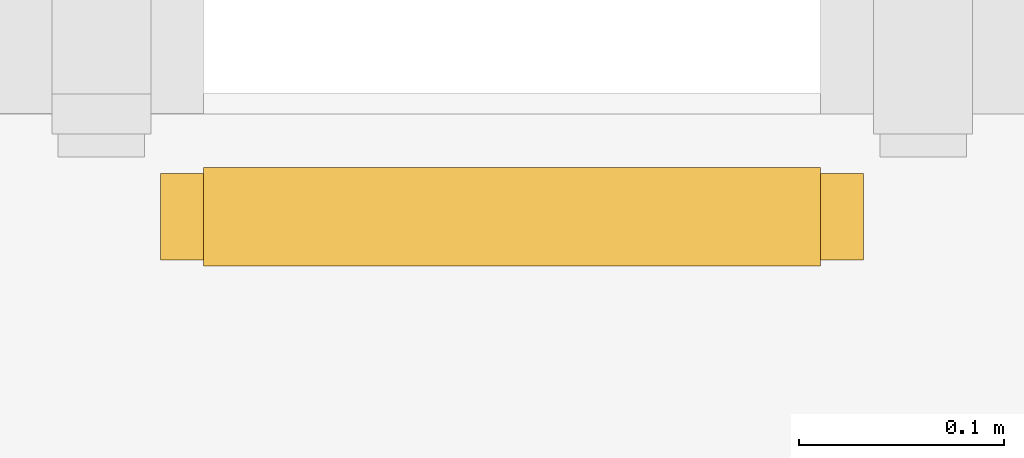
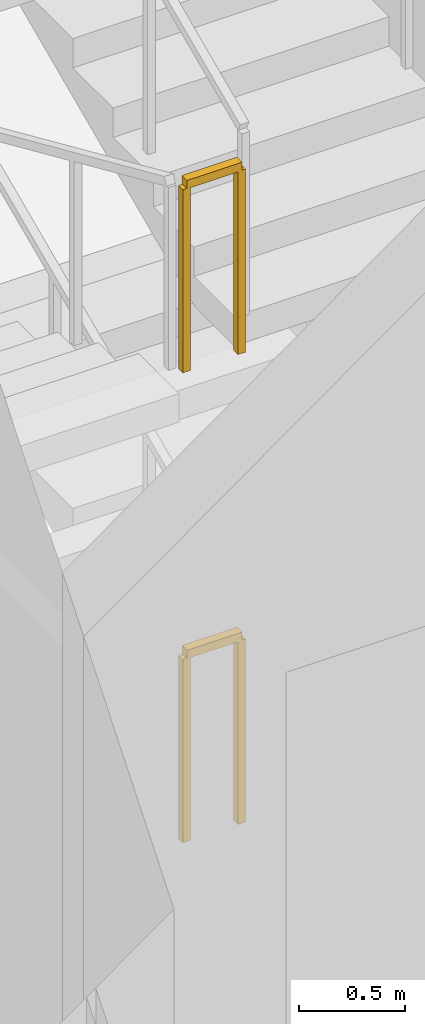
# One storey, part 11 of 18: 2 railings.
"""IFC4 building model written with IfcOpenShell, lengths in metres."""

from ifc_helpers import new_model, si_unit, direction, frame, origin, origin_2d, place, context, subcontext, project, spatial, rectangle, extrude, material, type_object, element, save


model = new_model("IFC4")

# Units and contexts
model_context = context("Model", 3, precision=1e-05, world=origin(), true_north=direction((0.0, 1.0)))
body_context = subcontext(model_context, "Body", "Model", "MODEL_VIEW")
ifc_project = project(units=[si_unit("LENGTHUNIT", "METRE"), si_unit("AREAUNIT", "SQUARE_METRE"), si_unit("VOLUMEUNIT", "CUBIC_METRE"), si_unit("PLANEANGLEUNIT", "RADIAN"), si_unit("MASSUNIT", "GRAM", prefix="KILO")], contexts=[model_context])

# Site, building, storey
site_placement = place(None, origin())
site = spatial("IfcSite", under=ifc_project, at=site_placement, CompositionType="ELEMENT")
building_placement = place(site_placement, origin())
building = spatial("IfcBuilding", under=site, at=building_placement, Name="Rattan Terrace Tower", CompositionType="ELEMENT")
storey_placement = place(building_placement, frame((0.0, 0.0, 208.10009765625)))
storey = spatial("IfcBuildingStorey", under=building, at=storey_placement, Name="L47", CompositionType="ELEMENT", Elevation=208.10009765625)

# Railings
ifc_material = material(Name="Powder-coated steel guard", Category="steel")
railing_type = type_object("IfcRailingType", Name="Core stair guard", PredefinedType="GUARDRAIL", material=ifc_material)
for number, where, name in (
    (1, (-15.300048828125, 1.64990234375, 2.699951171875), "L47 S1 stair guard 4"),
    (2, (-15.300048828125, 1.64990234375, 0.0), "L47 S1 stair guard 8"),
):
    element("IfcRailing", number, at=place(storey_placement, frame(where)), inside=storey, type_object=railing_type, Name=name, PredefinedType="GUARDRAIL", context=body_context, shape_type="SweptSolid", body=[
        extrude(rectangle(XDim=0.048095703125, YDim=0.048095703125, at=origin_2d()), frame((0.0, 0.0, 1.076171875), z_axis=(-1.0, 0.0, 0.0), x_axis=(0.0, -1.0, 0.0)), (0.0, 0.0, 1.0), 0.300048828125),
        extrude(rectangle(XDim=0.0419921875, YDim=0.0419921875, at=origin_2d()), origin(), (0.0, 0.0, 1.0), 1.052001953125),
        extrude(rectangle(XDim=0.0419921875, YDim=0.0419921875, at=origin_2d()), frame((-0.300048828125, 0.0, 0.0)), (0.0, 0.0, 1.0), 1.052001953125),
    ])

save(model, "model.ifc")
